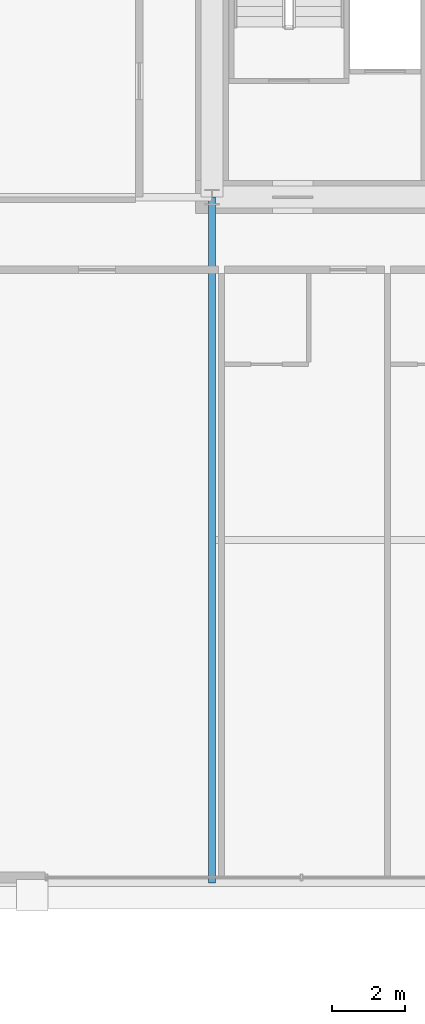
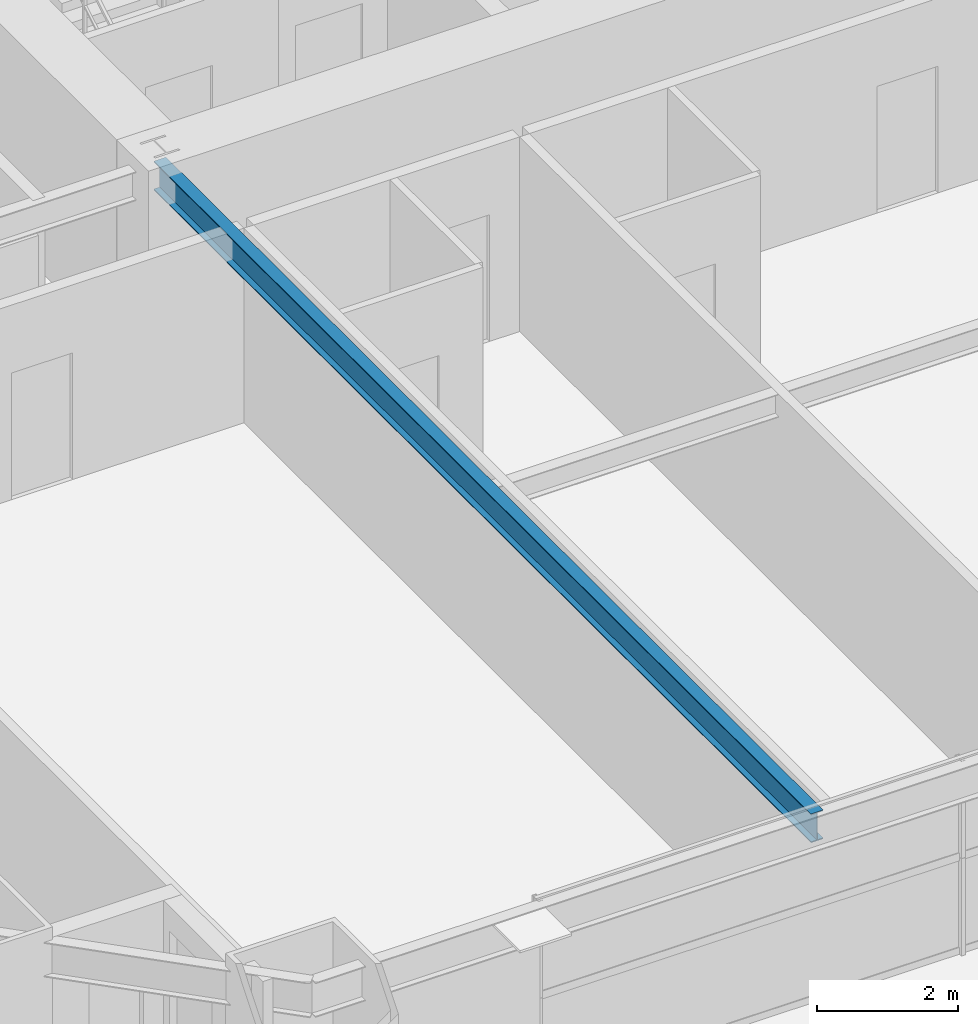
# One storey, part 7 of 43: 1 beam.
"""IFC4 building model written with IfcOpenShell, lengths in metres."""

import ifcopenshell
import ifcopenshell.guid

model = None  # the IFC model being written
_history = None  # IfcOwnerHistory: only IFC2X3 demands one
_inside = {}  # id of a spatial element -> (the spatial element, [elements in it])
_under = {}  # id of a project, library or spatial element -> (it, [spatial elements below it])
_declared = {}  # id of a project -> (the project, [libraries it declares])
_typed = {}  # id of a type object -> (the type object, [elements of that type])
_made_of = {}  # id of a material, layer set ... -> (it, [elements and type objects made of it])


def new_model(schema):
    """Start an empty IFC model of exactly this schema.

    Asked for "IFC4X3", IfcOpenShell would pick the latest addendum, in which some entities
    have other attributes; the version numbers below select the first issue.
    IFC2X3 requires an IfcOwnerHistory on every rooted entity: one is made here for all.
    """
    global model, _history
    if schema == "IFC4X3":
        model = ifcopenshell.file(schema_version=(4, 3, 0, 0))
    else:
        model = ifcopenshell.file(schema=schema)
    _inside.clear()
    _under.clear()
    _declared.clear()
    _typed.clear()
    _made_of.clear()
    _history = None
    if model.schema == "IFC2X3":
        org = make("IfcOrganization", Name="unknown")
        user = make(
            "IfcPersonAndOrganization",
            ThePerson=make("IfcPerson", FamilyName="unknown"),
            TheOrganization=org,
        )
        app = make(
            "IfcApplication",
            ApplicationDeveloper=org,
            Version="unknown",
            ApplicationFullName="unknown",
            ApplicationIdentifier="unknown",
        )
        _history = make(
            "IfcOwnerHistory",
            OwningUser=user,
            OwningApplication=app,
            ChangeAction="ADDED",
            CreationDate=0,
        )
    return model


def make(cls, **values):
    """One entity of the class cls with the attributes given. An attribute that is None is left unset."""
    return model.create_entity(
        cls, **{name: value for name, value in values.items() if value is not None}
    )


def rooted(cls, **values):
    """An entity with a GlobalId (a new one), such as an element, a storey or a relation."""
    return make(cls, GlobalId=ifcopenshell.guid.new(), OwnerHistory=_history, **values)


def si_unit(unit_type, name, prefix=None):
    """IfcSIUnit, for example si_unit("LENGTHUNIT", "METRE", prefix="MILLI")."""
    return make("IfcSIUnit", UnitType=unit_type, Prefix=prefix, Name=name)


def assignment(units):
    """IfcUnitAssignment: the units of a project."""
    return None if units is None else make("IfcUnitAssignment", Units=units)


def point(xyz):
    """IfcCartesianPoint."""
    return None if xyz is None else make("IfcCartesianPoint", Coordinates=xyz)


def direction(xyz):
    """IfcDirection."""
    return None if xyz is None else make("IfcDirection", DirectionRatios=xyz)


def frame(location, z_axis=None, x_axis=None):
    """IfcAxis2Placement3D, a coordinate frame: its origin and axes. An axis left out is left unset."""
    return make(
        "IfcAxis2Placement3D",
        Location=point(location),
        Axis=direction(z_axis),
        RefDirection=direction(x_axis),
    )


def frame_2d(location, x_axis=None):
    """IfcAxis2Placement2D, a coordinate frame in the plane: its origin and x axis."""
    return make(
        "IfcAxis2Placement2D", Location=point(location), RefDirection=direction(x_axis)
    )


def origin():
    """The frame at (0, 0, 0) with its axes left unset."""
    return frame((0.0, 0.0, 0.0))


def origin_2d():
    """The frame at (0, 0) in the plane with its x axis left unset."""
    return frame_2d((0.0, 0.0))


def place(relative_to, where):
    """IfcLocalPlacement: puts the frame where relative to a parent placement (None: the world)."""
    return make(
        "IfcLocalPlacement", PlacementRelTo=relative_to, RelativePlacement=where
    )


def context(
    kind, dimensions, precision=None, world=None, true_north=None, identifier=None
):
    """IfcGeometricRepresentationContext, for example the 3D "Model" context."""
    return make(
        "IfcGeometricRepresentationContext",
        ContextIdentifier=identifier,
        ContextType=kind,
        CoordinateSpaceDimension=dimensions,
        Precision=precision,
        WorldCoordinateSystem=world,
        TrueNorth=true_north,
    )


def subcontext(parent, identifier, kind, view, scale=None):
    """IfcGeometricRepresentationSubContext, for example "Body" below "Model"."""
    return make(
        "IfcGeometricRepresentationSubContext",
        ContextIdentifier=identifier,
        ContextType=kind,
        ParentContext=parent,
        TargetScale=scale,
        TargetView=view,
    )


def project(units=None, contexts=None):
    """IfcProject with its units and contexts."""
    return rooted(
        "IfcProject",
        Name="project",
        RepresentationContexts=contexts,
        UnitsInContext=assignment(units),
    )


def spatial(cls, under=None, at=None, **own):
    """A site, building, storey or space (cls), placed at a placement, below another one or the project."""
    s = rooted(cls, ObjectPlacement=at, **own)
    if under is not None:
        _under.setdefault(under.id(), (under, []))[1].append(s)
    return s


def profile(cls, at=None, kind="AREA", **sizes):
    """A parametric profile (cls). Its sizes go by their IFC names, for example OverallWidth=200.0."""
    return make(cls, ProfileType=kind, Position=at, **sizes)


def i_section(**sizes):
    """IfcIShapeProfileDef."""
    return profile("IfcIShapeProfileDef", **sizes)


def extrude(swept, where, along, depth):
    """IfcExtrudedAreaSolid: the profile swept, set in the frame where, extruded along a direction by depth."""
    return make(
        "IfcExtrudedAreaSolid",
        SweptArea=swept,
        Position=where,
        ExtrudedDirection=direction(along),
        Depth=depth,
    )


def shape(context_of_items, identifier, shape_type, items):
    """IfcShapeRepresentation: the items that make up one representation, for example the "Body"."""
    return make(
        "IfcShapeRepresentation",
        ContextOfItems=context_of_items,
        RepresentationIdentifier=identifier,
        RepresentationType=shape_type,
        Items=items,
    )


def source(mapping_origin, context_of_items, identifier, shape_type, items):
    """IfcRepresentationMap: a shape defined once, which mapped items show again and again."""
    return make(
        "IfcRepresentationMap",
        MappingOrigin=mapping_origin,
        MappedRepresentation=shape(context_of_items, identifier, shape_type, items),
    )


def transform(
    local_origin,
    x_axis=None,
    y_axis=None,
    z_axis=None,
    scale=None,
    scale2=None,
    scale3=None,
    uniform=True,
):
    """IfcCartesianTransformationOperator3D, or its non-uniform kind. x_axis, y_axis, z_axis: its Axis1, 2, 3."""
    if uniform:
        return make(
            "IfcCartesianTransformationOperator3D",
            Axis1=direction(x_axis),
            Axis2=direction(y_axis),
            LocalOrigin=point(local_origin),
            Scale=scale,
            Axis3=direction(z_axis),
        )
    return make(
        "IfcCartesianTransformationOperator3DnonUniform",
        Axis1=direction(x_axis),
        Axis2=direction(y_axis),
        LocalOrigin=point(local_origin),
        Scale=scale,
        Axis3=direction(z_axis),
        Scale2=scale2,
        Scale3=scale3,
    )


def mapped(mapping_source, mapping_target):
    """IfcMappedItem: shows the shape of a source again, moved by a transform."""
    return make(
        "IfcMappedItem", MappingSource=mapping_source, MappingTarget=mapping_target
    )


def material(Name=None, Category=None):
    """IfcMaterial."""
    return make("IfcMaterial", Name=Name, Category=Category)


def material_profile(
    of_material, cross_section, Name=None, Category=None, Priority=None
):
    """IfcMaterialProfile: a cross section and its material."""
    return make(
        "IfcMaterialProfile",
        Name=Name,
        Material=of_material,
        Profile=cross_section,
        Priority=Priority,
        Category=Category,
    )


def profile_set(profiles, Name=None, composite=None):
    """IfcMaterialProfileSet."""
    return make(
        "IfcMaterialProfileSet",
        Name=Name,
        MaterialProfiles=profiles,
        CompositeProfile=composite,
    )


def made_of(thing, what):
    """Note that an element or type object is made of a material, layer set ...; save() writes the relation."""
    if what is not None:
        _made_of.setdefault(what.id(), (what, []))[1].append(thing)
    return thing


def type_object(cls, material=None, **own):
    """A type object (cls), such as IfcWallType, which elements share."""
    return made_of(rooted(cls, **own), material)


def element(
    cls,
    number,
    at=None,
    inside=None,
    cuts=None,
    type_object=None,
    material=None,
    context=None,
    identifier="Body",
    shape_type=None,
    held_by="IfcProductDefinitionShape",
    body=None,
    shapes=None,
    **own,
):
    """One element of the class cls, such as IfcWall. Its Tag is "e" and its number.

    at: its placement. inside: the storey or other place that contains it. cuts: it is an
    opening in that element (IfcRelVoidsElement). A single representation is given by context,
    identifier, shape_type and body (its items); several are given by shapes. held_by: the class
    of the entity that holds the representations. save() writes the other relations.
    """
    e = rooted(cls, Tag="e%d" % number, ObjectPlacement=at, **own)
    if body is not None:
        shapes = [shape(context, identifier, shape_type, body)]
    if shapes is not None:
        e.Representation = make(held_by, Representations=shapes)
    if inside is not None:
        _inside.setdefault(inside.id(), (inside, []))[1].append(e)
    if cuts is not None:
        rooted(
            "IfcRelVoidsElement", RelatingBuildingElement=cuts, RelatedOpeningElement=e
        )
    if type_object is not None:
        _typed.setdefault(type_object.id(), (type_object, []))[1].append(e)
    return made_of(e, material)


def aggregate(whole, parts):
    """IfcRelAggregates: a whole, such as a stair, and the parts it consists of."""
    return rooted("IfcRelAggregates", RelatingObject=whole, RelatedObjects=parts)


def save(model, path):
    """Write the relations noted so far, then the file.

    IfcRelAggregates (storeys below a building ...), IfcRelContainedInSpatialStructure (elements
    in a storey), IfcRelDefinesByType, IfcRelAssociatesMaterial and IfcRelDeclares: one each for
    every whole, place, type object, material and project.
    """
    for whole, parts in _under.values():
        aggregate(whole, parts)
    for where, things in _inside.values():
        rooted(
            "IfcRelContainedInSpatialStructure",
            RelatedElements=things,
            RelatingStructure=where,
        )
    for kind, things in _typed.values():
        rooted("IfcRelDefinesByType", RelatedObjects=things, RelatingType=kind)
    for what, things in _made_of.values():
        rooted("IfcRelAssociatesMaterial", RelatedObjects=things, RelatingMaterial=what)
    for by, libraries in _declared.values():
        rooted("IfcRelDeclares", RelatingContext=by, RelatedDefinitions=libraries)
    model.write(path)


model = new_model("IFC4")

# Units and contexts
model_context = context("Model", 3, precision=1e-05, world=origin(), true_north=direction((0.0, 1.0)))
body_context = subcontext(model_context, "Body", "Model", "MODEL_VIEW")
ifc_project = project(units=[si_unit("LENGTHUNIT", "METRE"), si_unit("AREAUNIT", "SQUARE_METRE"), si_unit("VOLUMEUNIT", "CUBIC_METRE"), si_unit("PLANEANGLEUNIT", "RADIAN"), si_unit("MASSUNIT", "GRAM", prefix="KILO"), si_unit("THERMODYNAMICTEMPERATUREUNIT", "KELVIN"), si_unit("POWERUNIT", "WATT")], contexts=[model_context])

# Site, building, storey
site_placement = place(None, origin())
site = spatial("IfcSite", under=ifc_project, at=site_placement, CompositionType="ELEMENT")
building_placement = place(site_placement, origin())
building = spatial("IfcBuilding", under=site, at=building_placement, Name="Yuzanri Waterfront Tower", CompositionType="ELEMENT")
storey_placement = place(building_placement, frame((0.0, 0.0, 71.199951171875)))
storey = spatial("IfcBuildingStorey", under=building, at=storey_placement, Name="L18", CompositionType="ELEMENT", Elevation=71.199951171875)

# Beam
ifc_material = material(Name="Steel Q355B", Category="steel")
ifc_material_profile = material_profile(ifc_material, i_section(OverallWidth=0.199951171875, OverallDepth=0.5, WebThickness=0.010009765625, FlangeThickness=0.01611328125, at=origin_2d()), Name="HN 500x200x10x16")
ifc_profile_set = profile_set([ifc_material_profile], Name="Steel Q355B")
beam_type = type_object("IfcBeamType", Name="Secondary Floor Beam Q355B HN 500x200", PredefinedType="BEAM", material=ifc_profile_set)
shared_shape = source(origin(), body_context, "Body", "SweptSolid", [
    extrude(i_section(OverallWidth=0.199951171875, OverallDepth=0.5, WebThickness=0.010009765625, FlangeThickness=0.01611328125, at=origin_2d()), origin(), (0.0, 0.0, 1.0), 18.699951171875),
])
beam_placement = place(storey_placement, frame((23.800048828125, 19.39990234375, 3.130126953125), z_axis=(0.0, -1.0, 0.0), x_axis=(1.0, 0.0, 0.0)))
element("IfcBeam", 1, at=beam_placement, inside=storey, type_object=beam_type, Name="L18 South-West Core Line Beam", PredefinedType="BEAM", context=body_context, shape_type="MappedRepresentation", body=[
    mapped(shared_shape, transform((0.0, 0.0, 0.0), scale=1.0)),
])

save(model, "model.ifc")
